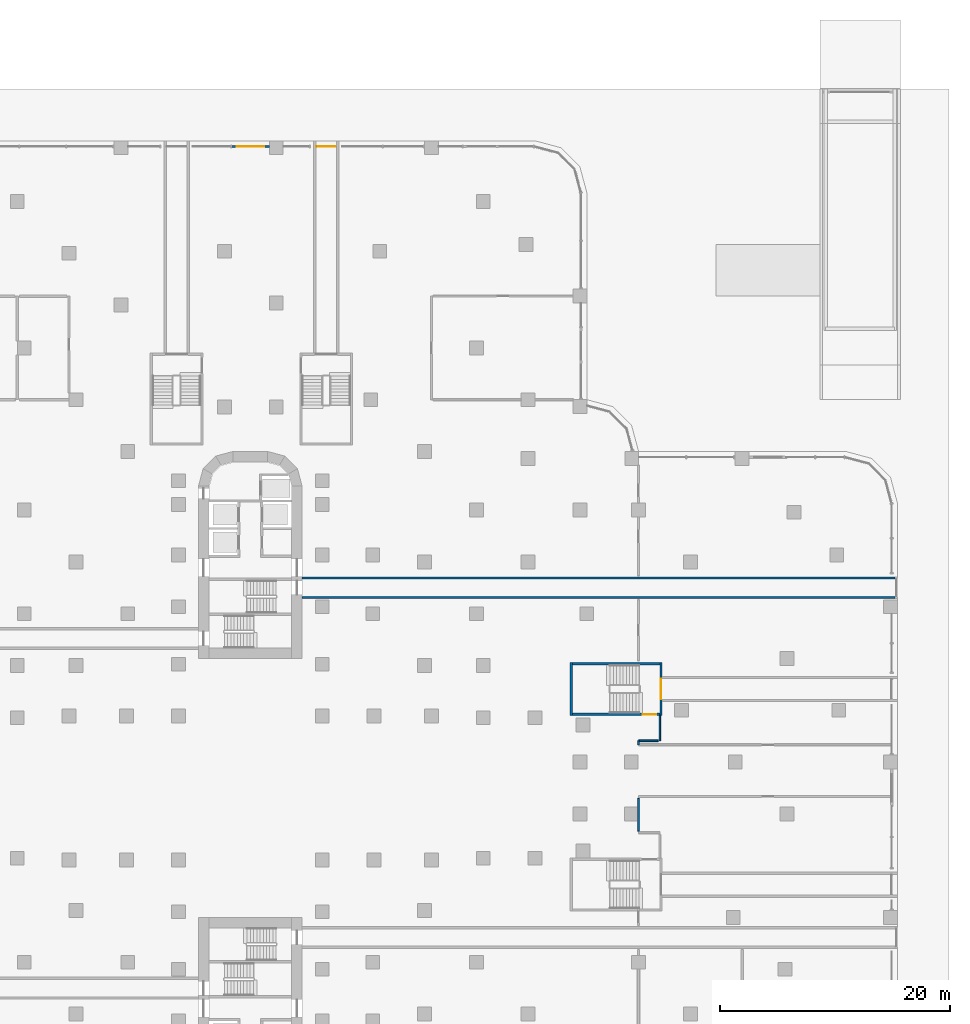
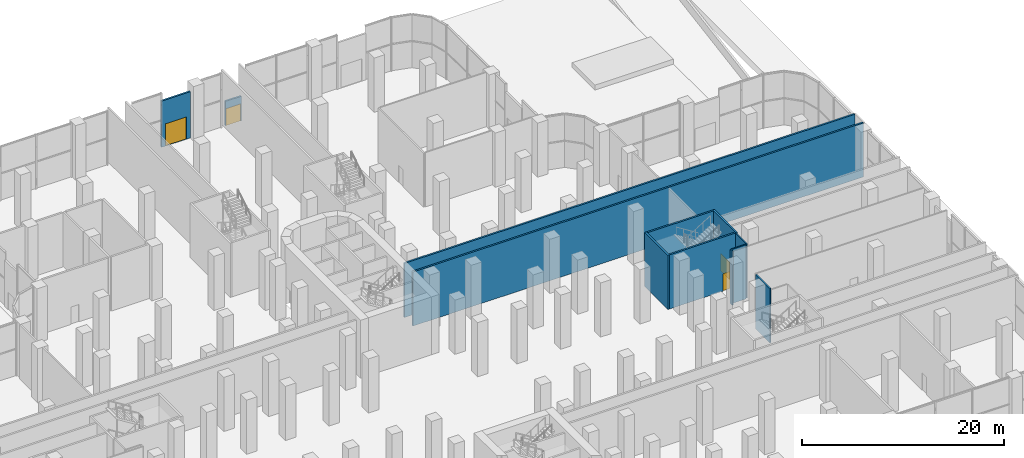
# One storey, part 26 of 34: 12 walls, 4 doors, 4 openings.
"""IFC4 building model written with IfcOpenShell, lengths in metres."""

from ifc_helpers import new_model, si_unit, direction, frame, frame_2d, origin, place, context, subcontext, project, spatial, rectangle, extrude, material, layer, layer_set, type_object, element, fill, save


model = new_model("IFC4")

# Units and contexts
model_context = context("Model", 3, precision=1e-05, world=origin(), true_north=direction((0.0, 1.0)))
body_context = subcontext(model_context, "Body", "Model", "MODEL_VIEW")
ifc_project = project(units=[si_unit("LENGTHUNIT", "METRE"), si_unit("AREAUNIT", "SQUARE_METRE"), si_unit("VOLUMEUNIT", "CUBIC_METRE"), si_unit("PLANEANGLEUNIT", "RADIAN"), si_unit("MASSUNIT", "GRAM", prefix="KILO")], contexts=[model_context])

# Site, building, storey
site_placement = place(None, origin())
site = spatial("IfcSite", under=ifc_project, at=site_placement, CompositionType="ELEMENT")
building_placement = place(site_placement, origin())
building = spatial("IfcBuilding", under=site, at=building_placement, Name="Zarbagh Exchange Tower", CompositionType="ELEMENT")
storey_placement = place(building_placement, origin())
storey = spatial("IfcBuildingStorey", under=building, at=storey_placement, Name="L00", CompositionType="ELEMENT", Elevation=0.0)

# Walls
ifc_material_1 = material(Name="Plasterboard partition")
ifc_layer_1 = layer(ifc_material_1, 0.14990234375)
ifc_layer_set_1 = layer_set([ifc_layer_1], Name="Board partition 150")
wall_type_1 = type_object("IfcWallType", Name="Board partition 150", PredefinedType="PARTITIONING", material=ifc_layer_set_1)
wall_1_placement = place(storey_placement, frame((35.60009765625, 6.300048828125, 0.0), z_axis=(0.0, 0.0, 1.0), x_axis=(0.0, -1.0, 0.0)))
element("IfcWall", 1, at=wall_1_placement, inside=storey, type_object=wall_type_1, Name="WL-L00-W001", PredefinedType="PARTITIONING", context=body_context, shape_type="SweptSolid", body=[
    extrude(rectangle(XDim=2.199951171875, YDim=0.14990234375, at=frame_2d((1.10009765625, 0.0))), origin(), (0.0, 0.0, 1.0), 6.550048828125),
])
wall_2_placement = place(storey_placement, frame((35.449951171875, 4.10009765625, 0.0), z_axis=(0.0, 0.0, 1.0), x_axis=(-1.0, 0.0, 0.0)))
element("IfcWall", 2, at=wall_2_placement, inside=storey, type_object=wall_type_1, Name="WL-L00-W002", PredefinedType="PARTITIONING", context=body_context, shape_type="SweptSolid", body=[
    extrude(rectangle(XDim=1.699951171875, YDim=0.14990234375, at=frame_2d((0.85009765625, 0.0))), origin(), (0.0, 0.0, 1.0), 6.550048828125),
])
wall_3_placement = place(storey_placement, frame((33.75, 3.75, 0.0), z_axis=(0.0, 0.0, 1.0), x_axis=(0.0, 1.0, 0.0)))
element("IfcWall", 3, at=wall_3_placement, inside=storey, type_object=wall_type_1, Name="WL-L00-W026", PredefinedType="PARTITIONING", context=body_context, shape_type="SweptSolid", body=[
    extrude(rectangle(XDim=0.35009765625, YDim=0.14990234375, at=frame_2d((0.175048828125, 0.0))), origin(), (0.0, 0.0, 1.0), 6.550048828125),
])
wall_4_placement = place(storey_placement, frame((33.75, -3.75, 0.0), z_axis=(0.0, 0.0, 1.0), x_axis=(0.0, 1.0, 0.0)))
element("IfcWall", 4, at=wall_4_placement, inside=storey, type_object=wall_type_1, Name="WL-L00-W027", PredefinedType="PARTITIONING", context=body_context, shape_type="SweptSolid", body=[
    extrude(rectangle(XDim=2.85009765625, YDim=0.14990234375, at=frame_2d((1.425048828125, 0.0))), origin(), (0.0, 0.0, 1.0), 6.550048828125),
])
ifc_material_2 = material(Name="Dense blockwork", Category="masonry")
ifc_layer_2 = layer(ifc_material_2, 0.199951171875)
ifc_layer_set_2 = layer_set([ifc_layer_2], Name="Shaft wall 200 mm blockwork")
wall_type_2 = type_object("IfcWallType", Name="Shaft wall 200 mm blockwork", PredefinedType="PARTITIONING", material=ifc_layer_set_2)
for number, where, z_axis, x_axis, name in (
    (5, (4.5, 18.25, 0.0), (0.0, 0.0, 1.0), (1.0, 0.0, 0.0), "Exit passage ST1 wall A"),
    (6, (4.5, 16.550048828125, 0.0), (0.0, 0.0, 1.0), (1.0, 0.0, 0.0), "Exit passage ST1 wall B"),
):
    element("IfcWall", number, at=place(storey_placement, frame(where, z_axis=z_axis, x_axis=x_axis)), inside=storey, type_object=wall_type_2, Name=name, PredefinedType="PARTITIONING", context=body_context, shape_type="SweptSolid", body=[
        extrude(rectangle(XDim=51.550048828125, YDim=0.199951171875, at=frame_2d((25.77490234375, 0.0))), origin(), (0.0, 0.0, 1.0), 6.550048828125),
    ])
ifc_material_3 = material(Name="Concrete C40/50", Category="concrete")
ifc_layer_3 = layer(ifc_material_3, 0.199951171875)
ifc_layer_set_3 = layer_set([ifc_layer_3], Name="Stair enclosure wall 200 mm RC C40/50")
wall_type_3 = type_object("IfcWallType", Name="Stair enclosure wall 200 mm RC C40/50", PredefinedType="SHEAR", material=ifc_layer_set_3)
wall_5_placement = place(storey_placement, frame((27.89990234375, 6.300048828125, 0.0), z_axis=(0.0, 0.0, 1.0), x_axis=(0.0, 1.0, 0.0)))
element("IfcWall", 7, at=wall_5_placement, inside=storey, type_object=wall_type_3, Name="Exit stair PS3 enclosure wall W", PredefinedType="SHEAR", context=body_context, shape_type="SweptSolid", body=[
    extrude(rectangle(XDim=4.599853515625, YDim=0.199951171875, at=frame_2d((2.2998046875, 0.0))), origin(), (0.0, 0.0, 1.0), 6.550048828125),
])

# Wall, opening, door
wall_6_placement = place(storey_placement, frame((35.699951171875, 6.300048828125, 0.0), z_axis=(0.0, 0.0, 1.0), x_axis=(0.0, 1.0, 0.0)))
wall_6 = element("IfcWall", 8, at=wall_6_placement, inside=storey, type_object=wall_type_3, Name="Exit stair PS3 enclosure wall E", PredefinedType="SHEAR", context=body_context, shape_type="SweptSolid", body=[
    extrude(rectangle(XDim=4.599853515625, YDim=0.199951171875, at=frame_2d((2.2998046875, 0.0))), origin(), (0.0, 0.0, 1.0), 6.550048828125),
])
opening_1_placement = place(wall_6_placement, frame((1.39990234375, 0.0, 0.0)))
opening_1 = element("IfcOpeningElement", 9, at=opening_1_placement, cuts=wall_6, Name="Opening XD2-1800", PredefinedType="OPENING", context=body_context, shape_type="SweptSolid", body=[
    extrude(rectangle(XDim=1.800048828125, YDim=2.10009765625, at=frame_2d((0.89990234375, 1.050048828125))), frame((0.0, 0.10986328125, 0.0), z_axis=(0.0, -1.0, 0.0), x_axis=(1.0, 0.0, 0.0)), (0.0, 0.0, 1.0), 0.219970703125),
])
ifc_material_4 = material(Name="Steel", Category="steel")
door_type_1 = type_object("IfcDoorType", Name="Exit stair discharge door 1800 x 2100", OperationType="NOTDEFINED", PredefinedType="DOOR", material=ifc_material_4)
door_1_placement = place(opening_1_placement, origin())
door_1 = element("IfcDoor", 10, at=door_1_placement, inside=storey, type_object=door_type_1, Name="Exit stair PS3 discharge door", OperationType="DOUBLE_DOOR_SINGLE_SWING", OverallHeight=2.10009765625, OverallWidth=1.800048828125, PredefinedType="DOOR", context=body_context, shape_type="SweptSolid", body=[
    extrude(rectangle(XDim=1.800048828125, YDim=2.10009765625, at=frame_2d((0.89990234375, 1.050048828125))), frame((0.0, 0.02490234375, 0.0), z_axis=(0.0, -1.0, 0.0), x_axis=(1.0, 0.0, 0.0)), (0.0, 0.0, 1.0), 0.050048828125),
])
fill(opening_1, door_1)

wall_7_placement = place(storey_placement, frame((28.0, 6.39990234375, 0.0), z_axis=(0.0, 0.0, 1.0), x_axis=(1.0, 0.0, 0.0)))
wall_7 = element("IfcWall", 11, at=wall_7_placement, inside=storey, type_object=wall_type_3, Name="Exit stair PS3 enclosure wall S", PredefinedType="SHEAR", context=body_context, shape_type="SweptSolid", body=[
    extrude(rectangle(XDim=7.60009765625, YDim=0.199951171875, at=frame_2d((3.800048828125, 0.0))), origin(), (0.0, 0.0, 1.0), 6.550048828125),
])
opening_2_placement = place(wall_7_placement, frame((6.10009765625, 0.0, 0.0)))
opening_2 = element("IfcOpeningElement", 12, at=opening_2_placement, cuts=wall_7, Name="Opening SD1-1200", PredefinedType="OPENING", context=body_context, shape_type="SweptSolid", body=[
    extrude(rectangle(XDim=1.199951171875, YDim=2.10009765625, at=frame_2d((0.60009765625, 1.050048828125))), frame((0.0, 0.10986328125, 0.0), z_axis=(0.0, -1.0, 0.0), x_axis=(1.0, 0.0, 0.0)), (0.0, 0.0, 1.0), 0.219970703125),
])
door_type_2 = type_object("IfcDoorType", Name="Exit stair door 1200 x 2100", OperationType="NOTDEFINED", PredefinedType="DOOR", material=ifc_material_4)
door_2_placement = place(opening_2_placement, origin())
door_2 = element("IfcDoor", 13, at=door_2_placement, inside=storey, type_object=door_type_2, Name="Exit stair PS3 entry door", OperationType="SINGLE_SWING_RIGHT", OverallHeight=2.10009765625, OverallWidth=1.199951171875, PredefinedType="DOOR", context=body_context, shape_type="SweptSolid", body=[
    extrude(rectangle(XDim=1.199951171875, YDim=2.10009765625, at=frame_2d((0.60009765625, 1.050048828125))), frame((0.0, 0.02490234375, 0.0), z_axis=(0.0, -1.0, 0.0), x_axis=(1.0, 0.0, 0.0)), (0.0, 0.0, 1.0), 0.050048828125),
])
fill(opening_2, door_2)

# Wall
wall_8_placement = place(storey_placement, frame((28.0, 10.800048828125, 0.0), z_axis=(0.0, 0.0, 1.0), x_axis=(1.0, 0.0, 0.0)))
element("IfcWall", 14, at=wall_8_placement, inside=storey, type_object=wall_type_3, Name="Exit stair PS3 enclosure wall N", PredefinedType="SHEAR", context=body_context, shape_type="SweptSolid", body=[
    extrude(rectangle(XDim=7.60009765625, YDim=0.199951171875, at=frame_2d((3.800048828125, 0.0))), origin(), (0.0, 0.0, 1.0), 6.550048828125),
])

# Wall, opening, door
ifc_material_5 = material(Name="Precast concrete C50/60", Category="concrete")
ifc_layer_4 = layer(ifc_material_5, 0.199951171875)
ifc_layer_set_4 = layer_set([ifc_layer_4], Name="Terrace door wall, precast concrete C50/60")
wall_type_4 = type_object("IfcWallType", Name="Terrace door wall, precast concrete C50/60", PredefinedType="SOLIDWALL", material=ifc_layer_set_4)
wall_9_placement = place(storey_placement, frame((-1.639892578125, 55.75, 0.0), z_axis=(0.0, 0.0, 1.0), x_axis=(1.0, 0.0, 0.0)))
wall_9 = element("IfcWall", 15, at=wall_9_placement, inside=storey, type_object=wall_type_4, Name="EW01 exterior wall", PredefinedType="SOLIDWALL", context=body_context, shape_type="SweptSolid", body=[
    extrude(rectangle(XDim=3.289794921875, YDim=0.199951171875, at=frame_2d((1.64501953125, 0.0))), origin(), (0.0, 0.0, 1.0), 5.60009765625),
])
opening_3_placement = place(wall_9_placement, frame((0.445068359375, 0.0, 0.0)))
opening_3 = element("IfcOpeningElement", 16, at=opening_3_placement, cuts=wall_9, Name="Opening ED01", PredefinedType="OPENING", context=body_context, shape_type="SweptSolid", body=[
    extrude(rectangle(XDim=2.39990234375, YDim=2.699951171875, at=frame_2d((1.199951171875, 1.35009765625))), frame((0.0, 0.10986328125, 0.0), z_axis=(0.0, -1.0, 0.0), x_axis=(1.0, 0.0, 0.0)), (0.0, 0.0, 1.0), 0.219970703125),
])
ifc_material_6 = material(Name="Anodised aluminium and glass", Category="aluminium")
door_type_3 = type_object("IfcDoorType", Name="Entrance door, double leaf, glazed aluminium", OperationType="DOUBLE_DOOR_DOUBLE_SWING", PredefinedType="DOOR", material=ifc_material_6)
door_3_placement = place(opening_3_placement, origin())
door_3 = element("IfcDoor", 17, at=door_3_placement, inside=storey, type_object=door_type_3, Name="ED01 exterior door", OperationType="SINGLE_SWING_LEFT", OverallHeight=2.699951171875, OverallWidth=2.39990234375, PredefinedType="DOOR", context=body_context, shape_type="SweptSolid", body=[
    extrude(rectangle(XDim=2.39990234375, YDim=2.699951171875, at=frame_2d((1.199951171875, 1.35009765625))), frame((0.0, 0.02490234375, 0.0), z_axis=(0.0, -1.0, 0.0), x_axis=(1.0, 0.0, 0.0)), (0.0, 0.0, 1.0), 0.050048828125),
])
fill(opening_3, door_3)

wall_10_placement = place(storey_placement, frame((5.699951171875, 55.75, 0.0), z_axis=(0.0, 0.0, 1.0), x_axis=(1.0, 0.0, 0.0)))
wall_10 = element("IfcWall", 18, at=wall_10_placement, inside=storey, type_object=wall_type_4, Name="XW02 stair discharge wall", PredefinedType="SOLIDWALL", context=body_context, shape_type="SweptSolid", body=[
    extrude(rectangle(XDim=1.800048828125, YDim=0.199951171875, at=frame_2d((0.89990234375, 0.0))), origin(), (0.0, 0.0, 1.0), 3.0),
])
opening_4_placement = place(wall_10_placement, frame((0.050048828125, 0.0, 0.0)))
opening_4 = element("IfcOpeningElement", 19, at=opening_4_placement, cuts=wall_10, Name="Opening XD02", PredefinedType="OPENING", context=body_context, shape_type="SweptSolid", body=[
    extrude(rectangle(XDim=1.699951171875, YDim=2.10009765625, at=frame_2d((0.85009765625, 1.050048828125))), frame((0.0, 0.10986328125, 0.0), z_axis=(0.0, -1.0, 0.0), x_axis=(1.0, 0.0, 0.0)), (0.0, 0.0, 1.0), 0.219970703125),
])
ifc_material_7 = material(Name="Galvanised steel", Category="steel")
door_type_4 = type_object("IfcDoorType", Name="Stair discharge door, double leaf, steel", OperationType="DOUBLE_DOOR_DOUBLE_SWING", PredefinedType="DOOR", material=ifc_material_7)
door_4_placement = place(opening_4_placement, origin())
door_4 = element("IfcDoor", 20, at=door_4_placement, inside=storey, type_object=door_type_4, Name="XD02 stair discharge door", OperationType="SINGLE_SWING_LEFT", OverallHeight=2.10009765625, OverallWidth=1.699951171875, PredefinedType="DOOR", context=body_context, shape_type="SweptSolid", body=[
    extrude(rectangle(XDim=1.699951171875, YDim=2.10009765625, at=frame_2d((0.85009765625, 1.050048828125))), frame((0.0, 0.02490234375, 0.0), z_axis=(0.0, -1.0, 0.0), x_axis=(1.0, 0.0, 0.0)), (0.0, 0.0, 1.0), 0.050048828125),
])
fill(opening_4, door_4)

save(model, "model.ifc")
